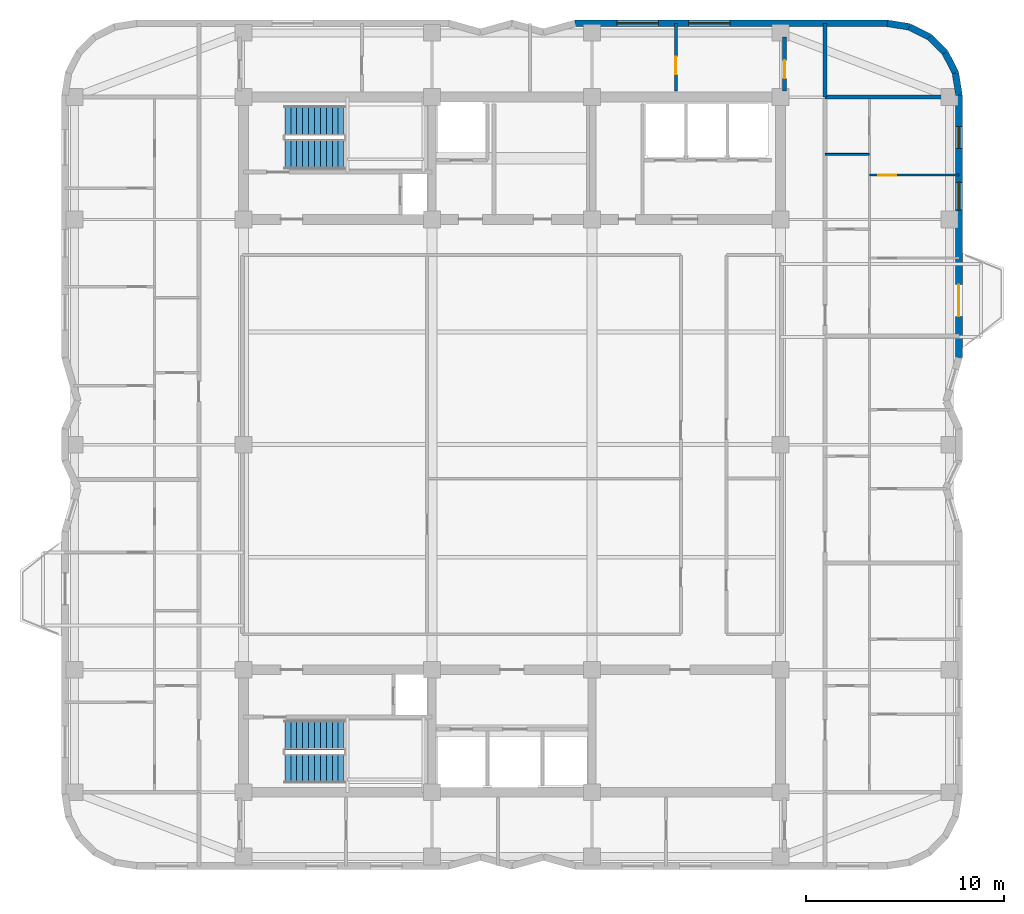
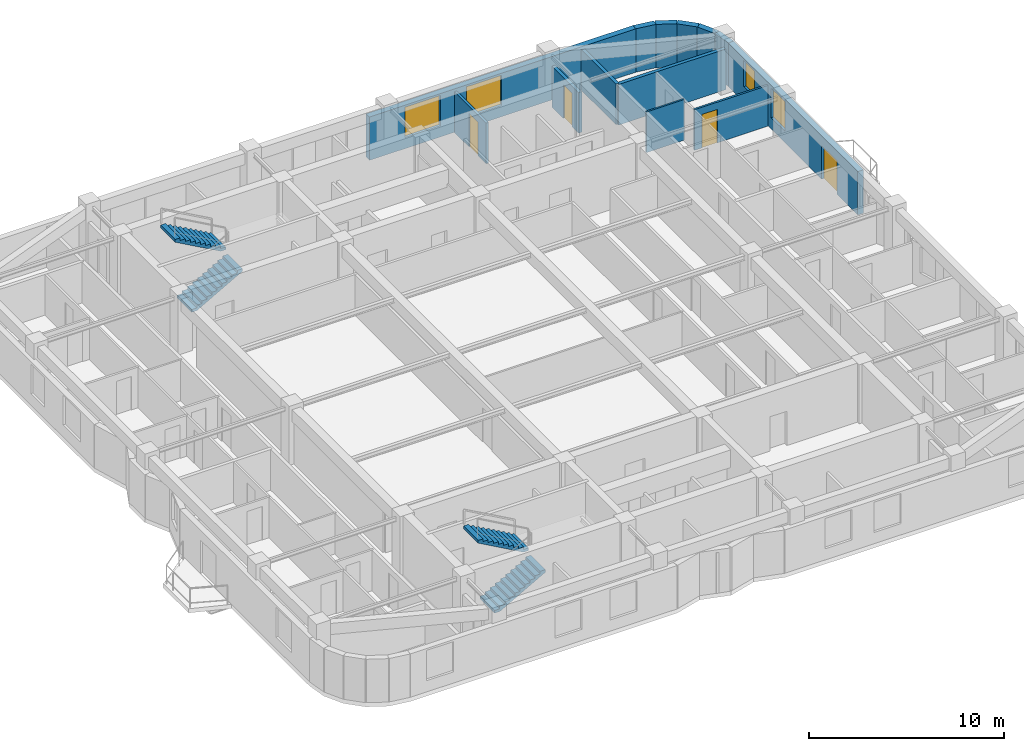
# One storey, part 7 of 9: 13 walls, 4 doors, 4 stair flights, 4 windows, 8 openings, 2 elements without a shape of their own.
"""IFC4 building model written with IfcOpenShell, lengths in metres."""

from ifc_helpers import new_model, si_unit, direction, frame, frame_2d, origin, place, context, subcontext, project, spatial, polyline, rectangle, outline, extrude, material, layer, layer_set, type_object, element, fill, aggregate, save


model = new_model("IFC4")

# Units and contexts
model_context = context("Model", 3, precision=1e-05, world=origin(), true_north=direction((0.0, 1.0)))
body_context = subcontext(model_context, "Body", "Model", "MODEL_VIEW")
ifc_project = project(units=[si_unit("LENGTHUNIT", "METRE"), si_unit("AREAUNIT", "SQUARE_METRE"), si_unit("VOLUMEUNIT", "CUBIC_METRE"), si_unit("PLANEANGLEUNIT", "RADIAN"), si_unit("MASSUNIT", "GRAM", prefix="KILO")], contexts=[model_context])

# Site, building, storey
site_placement = place(None, origin())
site = spatial("IfcSite", under=ifc_project, at=site_placement, CompositionType="ELEMENT")
building_placement = place(site_placement, origin())
building = spatial("IfcBuilding", under=site, at=building_placement, Name="Svetorya Sky Lyceum", CompositionType="ELEMENT")
storey_placement = place(building_placement, frame((0.0, 0.0, 207.300048828125)))
storey = spatial("IfcBuildingStorey", under=building, at=storey_placement, Name="L51", CompositionType="ELEMENT", Elevation=207.300048828125)

# Wall, openings, door, windows
ifc_material_1 = material(Name="Putilovo limestone rainscreen on autoclaved cellular masonry", Category="masonry")
ifc_layer_1 = layer(ifc_material_1, 0.340087890625)
ifc_layer_set_1 = layer_set([ifc_layer_1], Name="Putilovo limestone rainscreen on autoclaved cellular masonry")
wall_type_1 = type_object("IfcWallType", Name="WL-EXT-340", PredefinedType="SOLIDWALL", material=ifc_layer_set_1)
wall_1_placement = place(storey_placement, frame((61.830078125, 32.60009765625, 0.0), z_axis=(0.0, 0.0, 1.0), x_axis=(0.0, 1.0, 0.0)))
wall_1 = element("IfcWall", 1, at=wall_1_placement, inside=storey, type_object=wall_type_1, Name="L51 Limestone Exterior Wall 23M", PredefinedType="SOLIDWALL", context=body_context, shape_type="SweptSolid", body=[
    extrude(rectangle(XDim=13.2998046875, YDim=0.340087890625, at=frame_2d((6.64990234375, 0.0))), origin(), (0.0, 0.0, 1.0), 2.719970703125),
])
opening_1_placement = place(wall_1_placement, frame((2.10009765625, 0.0, 0.0)))
opening_1 = element("IfcOpeningElement", 2, at=opening_1_placement, cuts=wall_1, Name="Opening D-BL1", PredefinedType="OPENING", context=body_context, shape_type="SweptSolid", body=[
    extrude(rectangle(XDim=1.60009765625, YDim=2.10009765625, at=frame_2d((0.800048828125, 1.050048828125))), frame((0.0, 0.179931640625, 0.0), z_axis=(0.0, -1.0, 0.0), x_axis=(1.0, 0.0, 0.0)), (0.0, 0.0, 1.0), 0.360107421875),
])
opening_2_placement = place(wall_1_placement, frame((7.47998046875, 0.0, 0.7099609375)))
opening_2 = element("IfcOpeningElement", 3, at=opening_2_placement, cuts=wall_1, Name="Opening W-R2", PredefinedType="OPENING", context=body_context, shape_type="SweptSolid", body=[
    extrude(rectangle(XDim=1.39990234375, YDim=1.85009765625, at=frame_2d((0.699951171875, 0.925048828125))), frame((0.0, 0.179931640625, 0.0), z_axis=(0.0, -1.0, 0.0), x_axis=(1.0, 0.0, 0.0)), (0.0, 0.0, 1.0), 0.360107421875),
])
opening_3_placement = place(wall_1_placement, frame((10.60009765625, 0.0, 0.949951171875)))
opening_3 = element("IfcOpeningElement", 4, at=opening_3_placement, cuts=wall_1, Name="Opening W-R3", PredefinedType="OPENING", context=body_context, shape_type="SweptSolid", body=[
    extrude(rectangle(XDim=1.10009765625, YDim=1.64990234375, at=frame_2d((0.550048828125, 0.824951171875))), frame((0.0, 0.179931640625, 0.0), z_axis=(0.0, -1.0, 0.0), x_axis=(1.0, 0.0, 0.0)), (0.0, 0.0, 1.0), 0.360107421875),
])
ifc_material_2 = material(Name="Insulated glazed aluminium balcony door", Category="aluminium")
door_type_1 = type_object("IfcDoorType", Name="DR-BAL-1600", OperationType="DOUBLE_DOOR_SINGLE_SWING", PredefinedType="DOOR", material=ifc_material_2)
door_1_placement = place(opening_1_placement, origin())
door_1 = element("IfcDoor", 5, at=door_1_placement, inside=storey, type_object=door_type_1, Name="L51 Balcony BAL-E1 Door", OperationType="DOUBLE_DOOR_SINGLE_SWING", OverallHeight=2.10009765625, OverallWidth=1.60009765625, PredefinedType="DOOR", context=body_context, shape_type="SweptSolid", body=[
    extrude(rectangle(XDim=1.60009765625, YDim=2.10009765625, at=frame_2d((0.800048828125, 1.050048828125))), frame((0.0, 0.02490234375, 0.0), z_axis=(0.0, -1.0, 0.0), x_axis=(1.0, 0.0, 0.0)), (0.0, 0.0, 1.0), 0.050048828125),
])
fill(opening_1, door_1)
ifc_material_3 = material(Name="Thermally broken aluminium frame with triple low-E glazing", Category="aluminium")
window_type_1 = type_object("IfcWindowType", Name="WN-RES-110", PartitioningType="SINGLE_PANEL", PredefinedType="WINDOW", material=ifc_material_3)
window_1_placement = place(opening_3_placement, origin())
window_1 = element("IfcWindow", 6, at=window_1_placement, inside=storey, type_object=window_type_1, Name="L51 Facade Window W-R3.23M.1", OverallHeight=1.64990234375, OverallWidth=1.10009765625, PartitioningType="SINGLE_PANEL", PredefinedType="WINDOW", context=body_context, shape_type="SweptSolid", body=[
    extrude(rectangle(XDim=1.10009765625, YDim=1.64990234375, at=frame_2d((0.550048828125, 0.824951171875))), frame((0.0, 0.030029296875, 0.0), z_axis=(0.0, -1.0, 0.0), x_axis=(1.0, 0.0, 0.0)), (0.0, 0.0, 1.0), 0.06005859375),
])
fill(opening_3, window_1)
window_type_2 = type_object("IfcWindowType", Name="WN-RES-140", PartitioningType="SINGLE_PANEL", PredefinedType="WINDOW", material=ifc_material_3)
window_2_placement = place(opening_2_placement, origin())
window_2 = element("IfcWindow", 7, at=window_2_placement, inside=storey, type_object=window_type_2, Name="L51 Facade Window W-R2.23M.2", OverallHeight=1.85009765625, OverallWidth=1.39990234375, PartitioningType="SINGLE_PANEL", PredefinedType="WINDOW", context=body_context, shape_type="SweptSolid", body=[
    extrude(rectangle(XDim=1.39990234375, YDim=1.85009765625, at=frame_2d((0.699951171875, 0.925048828125))), frame((0.0, 0.030029296875, 0.0), z_axis=(0.0, -1.0, 0.0), x_axis=(1.0, 0.0, 0.0)), (0.0, 0.0, 1.0), 0.06005859375),
])
fill(opening_2, window_2)

# Walls
for number, where, z_axis, x_axis, name in (
    (8, (61.830078125, 45.89990234375, 0.0), (0.0, 0.0, 1.0), (-0.156481329164, 0.987680916907, 0.0), "L51 Limestone Exterior Wall 24M"),
    (9, (61.65234375, 47.021728515625, 0.0), (0.0, 0.0, 1.0), (-0.453993402883, 0.891005044957, 0.0), "L51 Limestone Exterior Wall 25M"),
):
    element("IfcWall", number, at=place(storey_placement, frame(where, z_axis=z_axis, x_axis=x_axis)), inside=storey, type_object=wall_type_1, Name=name, PredefinedType="SOLIDWALL", context=body_context, shape_type="SweptSolid", body=[
        extrude(rectangle(XDim=1.1357421875, YDim=0.340087890625, at=frame_2d((0.56787109375, 0.0))), origin(), (0.0, 0.0, 1.0), 2.719970703125),
    ])
wall_2_placement = place(storey_placement, frame((61.13671875, 48.03369140625, 0.0), z_axis=(0.0, 0.0, 1.0), x_axis=(-0.707106781187, 0.707106781187, 0.0)))
element("IfcWall", 10, at=wall_2_placement, inside=storey, type_object=wall_type_1, Name="L51 Limestone Exterior Wall 26M", PredefinedType="SOLIDWALL", context=body_context, shape_type="SweptSolid", body=[
    extrude(rectangle(XDim=1.135498046875, YDim=0.340087890625, at=frame_2d((0.56787109375, 0.0))), origin(), (0.0, 0.0, 1.0), 2.719970703125),
])
for number, where, z_axis, x_axis, name in (
    (11, (60.333740234375, 48.836669921875, 0.0), (0.0, 0.0, 1.0), (-0.891005044957, 0.453993402883, 0.0), "L51 Limestone Exterior Wall 27M"),
    (12, (59.32177734375, 49.352294921875, 0.0), (0.0, 0.0, 1.0), (-0.987680916907, 0.156481329164, 0.0), "L51 Limestone Exterior Wall 28M"),
):
    element("IfcWall", number, at=place(storey_placement, frame(where, z_axis=z_axis, x_axis=x_axis)), inside=storey, type_object=wall_type_1, Name=name, PredefinedType="SOLIDWALL", context=body_context, shape_type="SweptSolid", body=[
        extrude(rectangle(XDim=1.1357421875, YDim=0.340087890625, at=frame_2d((0.56787109375, 0.0))), origin(), (0.0, 0.0, 1.0), 2.719970703125),
    ])

# Wall, openings, windows
wall_3_placement = place(storey_placement, frame((58.199951171875, 49.530029296875, 0.0), z_axis=(0.0, 0.0, 1.0), x_axis=(-1.0, 0.0, 0.0)))
wall_3 = element("IfcWall", 13, at=wall_3_placement, inside=storey, type_object=wall_type_1, Name="L51 Limestone Exterior Wall 29M", PredefinedType="SOLIDWALL", context=body_context, shape_type="SweptSolid", body=[
    extrude(rectangle(XDim=15.800048828125, YDim=0.340087890625, at=frame_2d((7.89990234375, 0.0))), origin(), (0.0, 0.0, 1.0), 2.719970703125),
])
opening_4_placement = place(wall_3_placement, frame((7.96240234375, 0.0, 0.699951171875)))
opening_4 = element("IfcOpeningElement", 14, at=opening_4_placement, cuts=wall_3, Name="Opening W-R0", PredefinedType="OPENING", context=body_context, shape_type="SweptSolid", body=[
    extrude(rectangle(XDim=2.10009765625, YDim=1.89990234375, at=frame_2d((1.050048828125, 0.949951171875))), frame((0.0, 0.179931640625, 0.0), z_axis=(0.0, -1.0, 0.0), x_axis=(1.0, 0.0, 0.0)), (0.0, 0.0, 1.0), 0.360107421875),
])
opening_5_placement = place(wall_3_placement, frame((11.58740234375, 0.0, 0.699951171875)))
opening_5 = element("IfcOpeningElement", 15, at=opening_5_placement, cuts=wall_3, Name="Opening W-R0", PredefinedType="OPENING", context=body_context, shape_type="SweptSolid", body=[
    extrude(rectangle(XDim=2.10009765625, YDim=1.89990234375, at=frame_2d((1.050048828125, 0.949951171875))), frame((0.0, 0.179931640625, 0.0), z_axis=(0.0, -1.0, 0.0), x_axis=(1.0, 0.0, 0.0)), (0.0, 0.0, 1.0), 0.360107421875),
])
window_type_3 = type_object("IfcWindowType", Name="WN-RES-210", PartitioningType="TRIPLE_PANEL_VERTICAL", PredefinedType="WINDOW", material=ifc_material_3)
window_3_placement = place(opening_4_placement, origin())
window_3 = element("IfcWindow", 16, at=window_3_placement, inside=storey, type_object=window_type_3, Name="L51 Facade Window W-R0.29M.1", OverallHeight=1.89990234375, OverallWidth=2.10009765625, PartitioningType="SINGLE_PANEL", PredefinedType="WINDOW", context=body_context, shape_type="SweptSolid", body=[
    extrude(rectangle(XDim=2.10009765625, YDim=1.89990234375, at=frame_2d((1.050048828125, 0.949951171875))), frame((0.0, 0.030029296875, 0.0), z_axis=(0.0, -1.0, 0.0), x_axis=(1.0, 0.0, 0.0)), (0.0, 0.0, 1.0), 0.06005859375),
])
fill(opening_4, window_3)
window_4_placement = place(opening_5_placement, origin())
window_4 = element("IfcWindow", 17, at=window_4_placement, inside=storey, type_object=window_type_3, Name="L51 Facade Window W-R0.29M.2", OverallHeight=1.89990234375, OverallWidth=2.10009765625, PartitioningType="SINGLE_PANEL", PredefinedType="WINDOW", context=body_context, shape_type="SweptSolid", body=[
    extrude(rectangle(XDim=2.10009765625, YDim=1.89990234375, at=frame_2d((1.050048828125, 0.949951171875))), frame((0.0, 0.030029296875, 0.0), z_axis=(0.0, -1.0, 0.0), x_axis=(1.0, 0.0, 0.0)), (0.0, 0.0, 1.0), 0.06005859375),
])
fill(opening_5, window_4)

# Wall
ifc_material_4 = material(Name="Galvanized stud partition with moisture-resistant board", Category="gypsum")
ifc_layer_2 = layer(ifc_material_4, 0.10009765625)
ifc_layer_set_2 = layer_set([ifc_layer_2], Name="Galvanized stud partition with moisture-resistant board")
wall_type_2 = type_object("IfcWallType", Name="WL-PART-100", PredefinedType="PARTITIONING", material=ifc_layer_set_2)
wall_4_placement = place(storey_placement, frame((55.050048828125, 42.89990234375, 0.0), z_axis=(0.0, 0.0, 1.0), x_axis=(1.0, 0.0, 0.0)))
element("IfcWall", 18, at=wall_4_placement, inside=storey, type_object=wall_type_2, Name="L51 Interior Partition E3-WH2", PredefinedType="PARTITIONING", context=body_context, shape_type="SweptSolid", body=[
    extrude(rectangle(XDim=2.25, YDim=0.10009765625, at=frame_2d((1.125, 0.0))), origin(), (0.0, 0.0, 1.0), 2.550048828125),
])

# Wall, opening, door
ifc_material_5 = material(Name="Twin-stud galvanized framing with double fireboard", Category="gypsum")
ifc_layer_3 = layer(ifc_material_5, 0.1201171875)
ifc_layer_set_3 = layer_set([ifc_layer_3], Name="Twin-stud galvanized framing with double fireboard")
wall_type_3 = type_object("IfcWallType", Name="WL-PART-120", PredefinedType="PARTITIONING", material=ifc_layer_set_3)
wall_5_placement = place(storey_placement, frame((57.300048828125, 41.85009765625, 0.0), z_axis=(0.0, 0.0, 1.0), x_axis=(1.0, 0.0, 0.0)))
wall_5 = element("IfcWall", 19, at=wall_5_placement, inside=storey, type_object=wall_type_3, Name="L51 Interior Partition E3-WL2", PredefinedType="PARTITIONING", context=body_context, shape_type="SweptSolid", body=[
    extrude(rectangle(XDim=4.530029296875, YDim=0.1201171875, at=frame_2d((2.26513671875, 0.0))), origin(), (0.0, 0.0, 1.0), 2.550048828125),
])
opening_6_placement = place(wall_5_placement, frame((0.449951171875, 0.0, 0.0)))
opening_6 = element("IfcOpeningElement", 20, at=opening_6_placement, cuts=wall_5, Name="Opening D-RM1", PredefinedType="OPENING", context=body_context, shape_type="SweptSolid", body=[
    extrude(rectangle(XDim=0.89990234375, YDim=2.10009765625, at=frame_2d((0.449951171875, 1.050048828125))), frame((0.0, 0.070068359375, 0.0), z_axis=(0.0, -1.0, 0.0), x_axis=(1.0, 0.0, 0.0)), (0.0, 0.0, 1.0), 0.14013671875),
])
ifc_material_6 = material(Name="Lacquered birch veneer internal door")
door_type_2 = type_object("IfcDoorType", Name="DR-INT-900", OperationType="SINGLE_SWING_LEFT", PredefinedType="DOOR", material=ifc_material_6)
door_2_placement = place(opening_6_placement, origin())
door_2 = element("IfcDoor", 21, at=door_2_placement, inside=storey, type_object=door_type_2, Name="Apartment E3 Bedroom 2 Door", OperationType="SINGLE_SWING_LEFT", OverallHeight=2.10009765625, OverallWidth=0.89990234375, PredefinedType="DOOR", context=body_context, shape_type="SweptSolid", body=[
    extrude(rectangle(XDim=0.89990234375, YDim=2.10009765625, at=frame_2d((0.449951171875, 1.050048828125))), frame((0.0, 0.02490234375, 0.0), z_axis=(0.0, -1.0, 0.0), x_axis=(1.0, 0.0, 0.0)), (0.0, 0.0, 1.0), 0.050048828125),
])
fill(opening_6, door_2)

ifc_material_7 = material(Name="Autoclaved cellular masonry blockwork with acoustic render", Category="masonry")
ifc_layer_4 = layer(ifc_material_7, 0.14990234375)
ifc_layer_set_4 = layer_set([ifc_layer_4], Name="Autoclaved cellular masonry blockwork with acoustic render")
wall_type_4 = type_object("IfcWallType", Name="WL-PART-150", PredefinedType="PARTITIONING", material=ifc_layer_set_4)
wall_6_placement = place(storey_placement, frame((47.5, 46.10009765625, 0.0), z_axis=(0.0, 0.0, 1.0), x_axis=(0.0, 1.0, 0.0)))
wall_6 = element("IfcWall", 22, at=wall_6_placement, inside=storey, type_object=wall_type_4, Name="L51 Interior Partition N4-D3", PredefinedType="PARTITIONING", context=body_context, shape_type="SweptSolid", body=[
    extrude(rectangle(XDim=3.429931640625, YDim=0.14990234375, at=frame_2d((1.71484375, 0.0))), origin(), (0.0, 0.0, 1.0), 2.550048828125),
])
opening_7_placement = place(wall_6_placement, frame((0.85009765625, 0.0, 0.0)))
opening_7 = element("IfcOpeningElement", 23, at=opening_7_placement, cuts=wall_6, Name="Opening D-RM1", PredefinedType="OPENING", context=body_context, shape_type="SweptSolid", body=[
    extrude(rectangle(XDim=0.89990234375, YDim=2.10009765625, at=frame_2d((0.449951171875, 1.050048828125))), frame((0.0, 0.0849609375, 0.0), z_axis=(0.0, -1.0, 0.0), x_axis=(1.0, 0.0, 0.0)), (0.0, 0.0, 1.0), 0.169921875),
])
door_3_placement = place(opening_7_placement, origin())
door_3 = element("IfcDoor", 24, at=door_3_placement, inside=storey, type_object=door_type_2, Name="L51 North Suite Door 3", OperationType="SINGLE_SWING_RIGHT", OverallHeight=2.10009765625, OverallWidth=0.89990234375, PredefinedType="DOOR", context=body_context, shape_type="SweptSolid", body=[
    extrude(rectangle(XDim=0.89990234375, YDim=2.10009765625, at=frame_2d((0.449951171875, 1.050048828125))), frame((0.0, 0.02490234375, 0.0), z_axis=(0.0, -1.0, 0.0), x_axis=(1.0, 0.0, 0.0)), (0.0, 0.0, 1.0), 0.050048828125),
])
fill(opening_7, door_3)

# Walls
ifc_material_8 = material(Name="Autoclaved cellular masonry blockwork with gypsum plaster", Category="masonry")
ifc_layer_5 = layer(ifc_material_8, 0.199951171875)
ifc_layer_set_5 = layer_set([ifc_layer_5], Name="Autoclaved cellular masonry blockwork with gypsum plaster")
wall_type_5 = type_object("IfcWallType", Name="WL-PART-200", PredefinedType="PARTITIONING", material=ifc_layer_set_5)
wall_7_placement = place(storey_placement, frame((55.050048828125, 45.800048828125, 0.0), z_axis=(0.0, 0.0, 1.0), x_axis=(1.0, 0.0, 0.0)))
element("IfcWall", 25, at=wall_7_placement, inside=storey, type_object=wall_type_5, Name="L51 Interior Partition E-CAP-N", PredefinedType="PARTITIONING", context=body_context, shape_type="SweptSolid", body=[
    extrude(rectangle(XDim=6.35986328125, YDim=0.199951171875, at=frame_2d((3.179931640625, 0.0))), origin(), (0.0, 0.0, 1.0), 2.550048828125),
])
wall_8_placement = place(storey_placement, frame((55.050048828125, 45.800048828125, 0.0), z_axis=(0.0, 0.0, 1.0), x_axis=(0.0, 1.0, 0.0)))
element("IfcWall", 26, at=wall_8_placement, inside=storey, type_object=wall_type_5, Name="L51 Interior Partition EC-NE-END", PredefinedType="PARTITIONING", context=body_context, shape_type="SweptSolid", body=[
    extrude(rectangle(XDim=3.72998046875, YDim=0.199951171875, at=frame_2d((1.864990234375, 0.0))), origin(), (0.0, 0.0, 1.0), 2.550048828125),
])

# Wall, opening, door
wall_9_placement = place(storey_placement, frame((53.0, 46.10009765625, 0.0), z_axis=(0.0, 0.0, 1.0), x_axis=(0.0, 1.0, 0.0)))
wall_9 = element("IfcWall", 27, at=wall_9_placement, inside=storey, type_object=wall_type_5, Name="L51 Interior Partition N4-EE", PredefinedType="PARTITIONING", context=body_context, shape_type="SweptSolid", body=[
    extrude(rectangle(XDim=2.72998046875, YDim=0.199951171875, at=frame_2d((1.364990234375, 0.0))), origin(), (0.0, 0.0, 1.0), 2.550048828125),
])
opening_8_placement = place(wall_9_placement, frame((0.64990234375, 0.0, 0.0)))
opening_8 = element("IfcOpeningElement", 28, at=opening_8_placement, cuts=wall_9, Name="Opening D-RM1", PredefinedType="OPENING", context=body_context, shape_type="SweptSolid", body=[
    extrude(rectangle(XDim=0.89990234375, YDim=2.10009765625, at=frame_2d((0.449951171875, 1.050048828125))), frame((0.0, 0.10986328125, 0.0), z_axis=(0.0, -1.0, 0.0), x_axis=(1.0, 0.0, 0.0)), (0.0, 0.0, 1.0), 0.219970703125),
])
door_4_placement = place(opening_8_placement, origin())
door_4 = element("IfcDoor", 29, at=door_4_placement, inside=storey, type_object=door_type_2, Name="L51 NE Office Door", OperationType="SINGLE_SWING_LEFT", OverallHeight=2.10009765625, OverallWidth=0.89990234375, PredefinedType="DOOR", context=body_context, shape_type="SweptSolid", body=[
    extrude(rectangle(XDim=0.89990234375, YDim=2.10009765625, at=frame_2d((0.449951171875, 1.050048828125))), frame((0.0, 0.02490234375, 0.0), z_axis=(0.0, -1.0, 0.0), x_axis=(1.0, 0.0, 0.0)), (0.0, 0.0, 1.0), 0.050048828125),
])
fill(opening_8, door_4)

# Stair, stair flights
ifc_material_9 = material(Name="Concrete C40/50", Category="concrete")
stair_type_1 = type_object("IfcStairType", Name="STR-ST-N", PredefinedType="HALF_TURN_STAIR", material=ifc_material_9)
stair_1_placement = place(storey_placement, origin())
stair_1 = element("IfcStair", 30, at=stair_1_placement, inside=storey, type_object=stair_type_1, Name="L51 North Core Smoke-Free Exit Stair N3", PredefinedType="HALF_TURN_STAIR")
stair_flight_type_1 = type_object("IfcStairFlightType", Name="SFL-ST-N", PredefinedType="STRAIGHT", material=ifc_material_9)
stair_flight_1_placement = place(storey_placement, frame((27.699951171875, 42.89990234375, 0.0), z_axis=(0.0, 0.0, 1.0), x_axis=(1.0, 0.0, 0.0)))
stair_flight_1 = element("IfcStairFlight", 31, at=stair_flight_1_placement, type_object=stair_flight_type_1, Name="ST-N flight 1", NumberOfRisers=11, NumberOfTreads=10, PredefinedType="STRAIGHT", RiserHeight=0.168181818, TreadLength=0.3, context=body_context, shape_type="SweptSolid", body=[
    extrude(outline(polyline([(0.0, 0.0), (0.0, 0.168212890625), (0.300048828125, 0.168212890625), (0.300048828125, 0.33642578125), (0.60009765625, 0.33642578125), (0.60009765625, 0.504638671875), (0.89990234375, 0.504638671875), (0.89990234375, 0.672607421875), (1.199951171875, 0.672607421875), (1.199951171875, 0.8408203125), (1.5, 0.8408203125), (1.5, 1.009033203125), (1.800048828125, 1.009033203125), (1.800048828125, 1.17724609375), (2.10009765625, 1.17724609375), (2.10009765625, 1.345458984375), (2.39990234375, 1.345458984375), (2.39990234375, 1.513671875), (2.699951171875, 1.513671875), (2.699951171875, 1.681884765625), (3.0, 1.681884765625), (3.0, 1.85009765625), (3.0, 1.510009765625), (0.306640625, 0.0), (0.0, 0.0)])), frame((0.0, 0.75, 0.0), z_axis=(0.0, -1.0, 0.0), x_axis=(1.0, 0.0, 0.0)), (0.0, 0.0, 1.0), 1.5),
])
stair_flight_2_placement = place(storey_placement, frame((30.699951171875, 44.60009765625, 1.849853515625), z_axis=(0.0, 0.0, 1.0), x_axis=(-1.0, 0.0, 0.0)))
stair_flight_2 = element("IfcStairFlight", 32, at=stair_flight_2_placement, type_object=stair_flight_type_1, Name="ST-N flight 2", NumberOfRisers=11, NumberOfTreads=10, PredefinedType="STRAIGHT", RiserHeight=0.168181818, TreadLength=0.3, context=body_context, shape_type="SweptSolid", body=[
    extrude(outline(polyline([(0.0, 0.0), (0.0, 0.168212890625), (0.300048828125, 0.168212890625), (0.300048828125, 0.33642578125), (0.60009765625, 0.33642578125), (0.60009765625, 0.504638671875), (0.89990234375, 0.504638671875), (0.89990234375, 0.672607421875), (1.199951171875, 0.672607421875), (1.199951171875, 0.8408203125), (1.5, 0.8408203125), (1.5, 1.009033203125), (1.800048828125, 1.009033203125), (1.800048828125, 1.17724609375), (2.10009765625, 1.17724609375), (2.10009765625, 1.345458984375), (2.39990234375, 1.345458984375), (2.39990234375, 1.513671875), (2.699951171875, 1.513671875), (2.699951171875, 1.681884765625), (3.0, 1.681884765625), (3.0, 1.85009765625), (3.0, 1.510009765625), (0.306640625, 0.0), (0.0, 0.0)])), frame((0.0, 0.75, 0.0), z_axis=(0.0, -1.0, 0.0), x_axis=(1.0, 0.0, 0.0)), (0.0, 0.0, 1.0), 1.5),
])
aggregate(stair_1, [stair_flight_1, stair_flight_2])

stair_type_2 = type_object("IfcStairType", Name="STR-ST-S", PredefinedType="HALF_TURN_STAIR", material=ifc_material_9)
stair_2_placement = place(storey_placement, origin())
stair_2 = element("IfcStair", 33, at=stair_2_placement, inside=storey, type_object=stair_type_2, Name="L51 South Core Smoke-Free Exit Stair N2", PredefinedType="HALF_TURN_STAIR")
stair_flight_type_2 = type_object("IfcStairFlightType", Name="SFL-ST-S", PredefinedType="STRAIGHT", material=ifc_material_9)
stair_flight_3_placement = place(storey_placement, frame((27.699951171875, 11.800048828125, 0.0), z_axis=(0.0, 0.0, 1.0), x_axis=(1.0, 0.0, 0.0)))
stair_flight_3 = element("IfcStairFlight", 34, at=stair_flight_3_placement, type_object=stair_flight_type_2, Name="ST-S flight 1", NumberOfRisers=11, NumberOfTreads=10, PredefinedType="STRAIGHT", RiserHeight=0.168181818, TreadLength=0.3, context=body_context, shape_type="SweptSolid", body=[
    extrude(outline(polyline([(0.0, 0.0), (0.0, 0.168212890625), (0.300048828125, 0.168212890625), (0.300048828125, 0.33642578125), (0.60009765625, 0.33642578125), (0.60009765625, 0.504638671875), (0.89990234375, 0.504638671875), (0.89990234375, 0.672607421875), (1.199951171875, 0.672607421875), (1.199951171875, 0.8408203125), (1.5, 0.8408203125), (1.5, 1.009033203125), (1.800048828125, 1.009033203125), (1.800048828125, 1.17724609375), (2.10009765625, 1.17724609375), (2.10009765625, 1.345458984375), (2.39990234375, 1.345458984375), (2.39990234375, 1.513671875), (2.699951171875, 1.513671875), (2.699951171875, 1.681884765625), (3.0, 1.681884765625), (3.0, 1.85009765625), (3.0, 1.510009765625), (0.306640625, 0.0), (0.0, 0.0)])), frame((0.0, 0.75, 0.0), z_axis=(0.0, -1.0, 0.0), x_axis=(1.0, 0.0, 0.0)), (0.0, 0.0, 1.0), 1.5),
])
stair_flight_4_placement = place(storey_placement, frame((30.699951171875, 13.5, 1.849853515625), z_axis=(0.0, 0.0, 1.0), x_axis=(-1.0, 0.0, 0.0)))
stair_flight_4 = element("IfcStairFlight", 35, at=stair_flight_4_placement, type_object=stair_flight_type_2, Name="ST-S flight 2", NumberOfRisers=11, NumberOfTreads=10, PredefinedType="STRAIGHT", RiserHeight=0.168181818, TreadLength=0.3, context=body_context, shape_type="SweptSolid", body=[
    extrude(outline(polyline([(0.0, 0.0), (0.0, 0.168212890625), (0.300048828125, 0.168212890625), (0.300048828125, 0.33642578125), (0.60009765625, 0.33642578125), (0.60009765625, 0.504638671875), (0.89990234375, 0.504638671875), (0.89990234375, 0.672607421875), (1.199951171875, 0.672607421875), (1.199951171875, 0.8408203125), (1.5, 0.8408203125), (1.5, 1.009033203125), (1.800048828125, 1.009033203125), (1.800048828125, 1.17724609375), (2.10009765625, 1.17724609375), (2.10009765625, 1.345458984375), (2.39990234375, 1.345458984375), (2.39990234375, 1.513671875), (2.699951171875, 1.513671875), (2.699951171875, 1.681884765625), (3.0, 1.681884765625), (3.0, 1.85009765625), (3.0, 1.510009765625), (0.306640625, 0.0), (0.0, 0.0)])), frame((0.0, 0.75, 0.0), z_axis=(0.0, -1.0, 0.0), x_axis=(1.0, 0.0, 0.0)), (0.0, 0.0, 1.0), 1.5),
])
aggregate(stair_2, [stair_flight_3, stair_flight_4])

save(model, "model.ifc")
